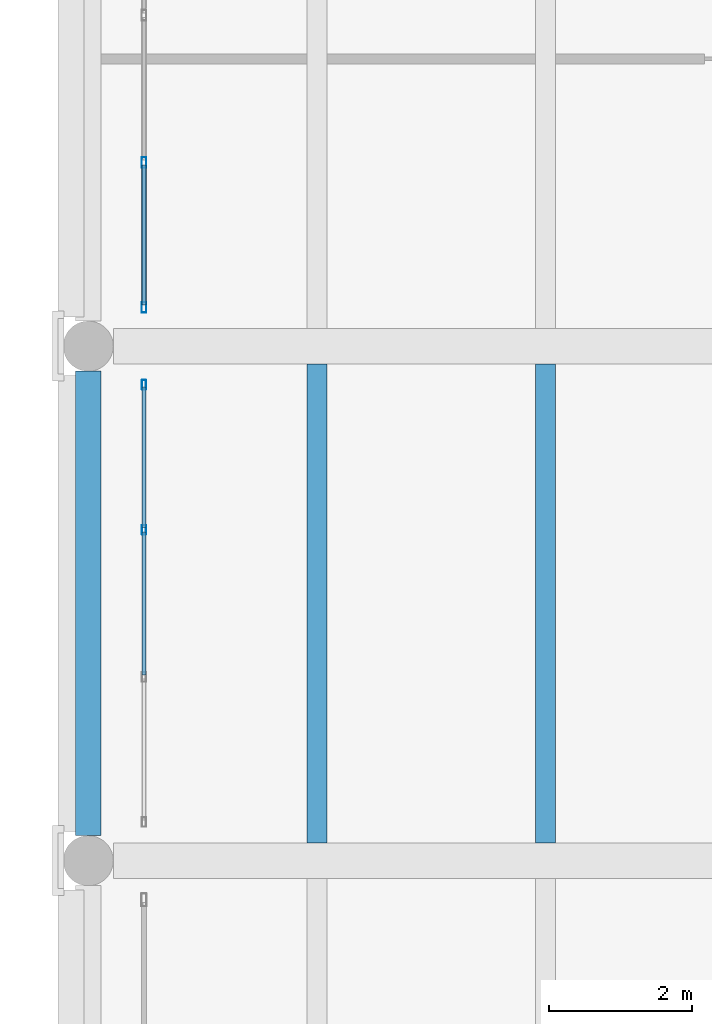
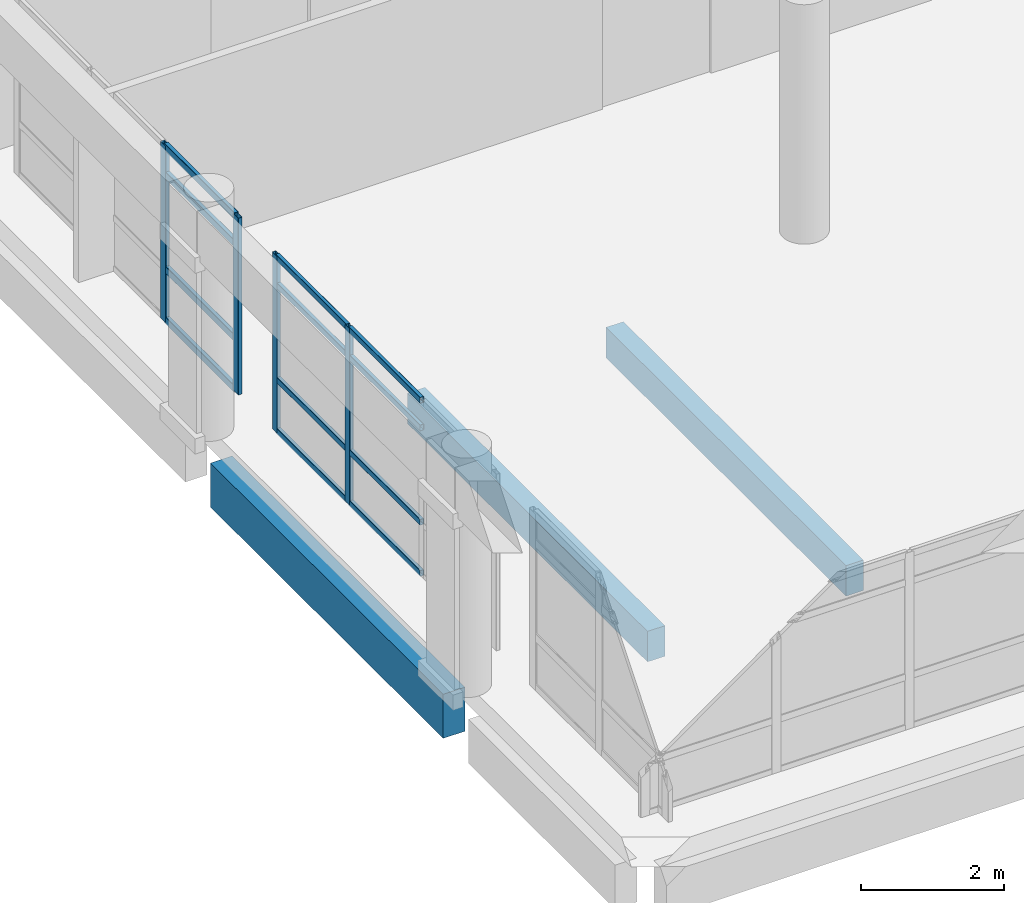
# One storey, part 11 of 180: 16 members, 3 beams, 2 elements without a shape of their own.
"""IFC4 building model written with IfcOpenShell, lengths in metres."""

from ifc_helpers import new_model, si_unit, direction, frame, origin, origin_2d, place, context, subcontext, project, spatial, rectangle, hollow_rectangle, extrude, material, layer, layer_set, material_profile, profile_set, type_object, element, aggregate, save


model = new_model("IFC4")

# Units and contexts
model_context = context("Model", 3, precision=1e-05, world=origin(), true_north=direction((0.0, 1.0)))
body_context = subcontext(model_context, "Body", "Model", "MODEL_VIEW")
ifc_project = project(units=[si_unit("LENGTHUNIT", "METRE"), si_unit("AREAUNIT", "SQUARE_METRE"), si_unit("VOLUMEUNIT", "CUBIC_METRE"), si_unit("PLANEANGLEUNIT", "RADIAN"), si_unit("MASSUNIT", "GRAM", prefix="KILO")], contexts=[model_context])

# Site, building, storey
site_placement = place(None, origin())
site = spatial("IfcSite", under=ifc_project, at=site_placement, CompositionType="ELEMENT")
building_placement = place(site_placement, origin())
building = spatial("IfcBuilding", under=site, at=building_placement, Name="Asteropetra Specialist Clinic", CompositionType="ELEMENT")
storey_placement = place(building_placement, frame((0.0, 0.0, 4.419921875)))
storey = spatial("IfcBuildingStorey", under=building, at=storey_placement, Name="L01", CompositionType="ELEMENT", Elevation=4.419921875)

# Curtain wall, members
ifc_material_1 = material(Name="Aluminium and low-E glass", Category="aluminium")
ifc_layer = layer(ifc_material_1, 0.179931640625)
ifc_layer_set = layer_set([ifc_layer], Name="Aluminium and low-E glass")
curtain_wall_type = type_object("IfcCurtainWallType", Name="CW-SYS-10", PredefinedType="USERDEFINED", material=ifc_layer_set)
curtain_wall_1_placement = place(storey_placement, origin())
curtain_wall_1 = element("IfcCurtainWall", 1, at=curtain_wall_1_placement, inside=storey, type_object=curtain_wall_type, Name="Curtain Wall CW-143", ObjectType="STICK GLAZED COLONNADE", PredefinedType="USERDEFINED")
ifc_material_2 = material(Name="Aluminium 6063-T6", Category="aluminium")
ifc_material_profile_1 = material_profile(ifc_material_2, hollow_rectangle(XDim=0.06005859375, YDim=0.135009765625, WallThickness=0.00341796875, InnerFilletRadius=0.00341796875, OuterFilletRadius=0.007080078125, at=origin_2d()), Name="MUL 135x60x3.5")
ifc_profile_set_1 = profile_set([ifc_material_profile_1], Name="Aluminium 6063-T6")
member_type_1 = type_object("IfcMemberType", Name="CWM-135x60", PredefinedType="MULLION", material=ifc_profile_set_1)
member_1_placement = place(storey_placement, frame((0.780029296875, 11.4599609375, 0.0), z_axis=(0.0, 0.0, 1.0), x_axis=(1.0, 0.0, 0.0)))
member_1 = element("IfcMember", 2, at=member_1_placement, type_object=member_type_1, Name="CW-143 mullion 1", PredefinedType="MULLION", context=body_context, shape_type="SweptSolid", body=[
    extrude(hollow_rectangle(XDim=0.06005859375, YDim=0.135009765625, WallThickness=0.00341796875, InnerFilletRadius=0.00341796875, OuterFilletRadius=0.007080078125, at=origin_2d()), origin(), (0.0, 0.0, 1.0), 3.010009765625),
])
member_2_placement = place(storey_placement, frame((0.780029296875, 9.429931640625, 0.0), z_axis=(0.0, 0.0, 1.0), x_axis=(1.0, 0.0, 0.0)))
member_2 = element("IfcMember", 3, at=member_2_placement, type_object=member_type_1, Name="CW-143 mullion 2", PredefinedType="MULLION", context=body_context, shape_type="SweptSolid", body=[
    extrude(hollow_rectangle(XDim=0.06005859375, YDim=0.135009765625, WallThickness=0.00341796875, InnerFilletRadius=0.00341796875, OuterFilletRadius=0.007080078125, at=origin_2d()), origin(), (0.0, 0.0, 1.0), 3.010009765625),
])

curtain_wall_2_placement = place(storey_placement, origin())
curtain_wall_2 = element("IfcCurtainWall", 4, at=curtain_wall_2_placement, inside=storey, type_object=curtain_wall_type, Name="Curtain Wall CW-145", ObjectType="STICK GLAZED COLONNADE", PredefinedType="USERDEFINED")
ifc_material_3 = material(Name="Aluminium 6063-T6", Category="aluminium")
ifc_material_profile_2 = material_profile(ifc_material_3, hollow_rectangle(XDim=0.06494140625, YDim=0.14990234375, WallThickness=0.00390625, InnerFilletRadius=0.00390625, OuterFilletRadius=0.008056640625, at=origin_2d()), Name="MUL 150x65x4.0")
ifc_profile_set_2 = profile_set([ifc_material_profile_2], Name="Aluminium 6063-T6")
member_type_2 = type_object("IfcMemberType", Name="CWM-150x65", PredefinedType="MULLION", material=ifc_profile_set_2)
member_3_placement = place(storey_placement, frame((0.780029296875, 14.570068359375, 0.0), z_axis=(0.0, 0.0, 1.0), x_axis=(1.0, 0.0, 0.0)))
member_3 = element("IfcMember", 5, at=member_3_placement, type_object=member_type_2, Name="CW-145 mullion 3", PredefinedType="MULLION", context=body_context, shape_type="SweptSolid", body=[
    extrude(hollow_rectangle(XDim=0.06494140625, YDim=0.14990234375, WallThickness=0.00390625, InnerFilletRadius=0.00390625, OuterFilletRadius=0.008056640625, at=origin_2d()), origin(), (0.0, 0.0, 1.0), 3.010009765625),
])
member_4_placement = place(storey_placement, frame((0.780029296875, 12.54248046875, 0.0), z_axis=(0.0, 0.0, 1.0), x_axis=(1.0, 0.0, 0.0)))
member_4 = element("IfcMember", 6, at=member_4_placement, type_object=member_type_2, Name="CW-145 mullion 4", PredefinedType="MULLION", context=body_context, shape_type="SweptSolid", body=[
    extrude(hollow_rectangle(XDim=0.06494140625, YDim=0.14990234375, WallThickness=0.00390625, InnerFilletRadius=0.00390625, OuterFilletRadius=0.008056640625, at=origin_2d()), origin(), (0.0, 0.0, 1.0), 3.010009765625),
])

# Member
ifc_material_4 = material(Name="Aluminium 6063-T6", Category="aluminium")
ifc_material_profile_3 = material_profile(ifc_material_4, hollow_rectangle(XDim=0.06005859375, YDim=0.10009765625, WallThickness=0.00341796875, InnerFilletRadius=0.00341796875, OuterFilletRadius=0.007080078125, at=origin_2d()), Name="TRN 100x60x3.5")
ifc_profile_set_3 = profile_set([ifc_material_profile_3], Name="Aluminium 6063-T6")
member_type_3 = type_object("IfcMemberType", Name="CWT-100x60", PredefinedType="USERDEFINED", material=ifc_profile_set_3)
member_5_placement = place(storey_placement, frame((0.780029296875, 11.429931640625, 0.030029296875), z_axis=(0.0, -1.0, 0.0), x_axis=(1.0, 0.0, 0.0)))
member_5 = element("IfcMember", 7, at=member_5_placement, type_object=member_type_3, Name="CW-143 transom 1.1", ObjectType="TRANSOM", PredefinedType="USERDEFINED", context=body_context, shape_type="SweptSolid", body=[
    extrude(hollow_rectangle(XDim=0.06005859375, YDim=0.10009765625, WallThickness=0.00341796875, InnerFilletRadius=0.00341796875, OuterFilletRadius=0.007080078125, at=origin_2d()), origin(), (0.0, 0.0, 1.0), 1.969970703125),
])

member_6_placement = place(storey_placement, frame((0.780029296875, 11.429931640625, 0.900146484375), z_axis=(0.0, -1.0, 0.0), x_axis=(1.0, 0.0, 0.0)))
member_6 = element("IfcMember", 8, at=member_6_placement, type_object=member_type_3, Name="CW-143 transom 1.2", ObjectType="TRANSOM", PredefinedType="USERDEFINED", context=body_context, shape_type="SweptSolid", body=[
    extrude(hollow_rectangle(XDim=0.06005859375, YDim=0.10009765625, WallThickness=0.00341796875, InnerFilletRadius=0.00341796875, OuterFilletRadius=0.007080078125, at=origin_2d()), origin(), (0.0, 0.0, 1.0), 1.969970703125),
])

member_7_placement = place(storey_placement, frame((0.780029296875, 11.429931640625, 2.510009765625), z_axis=(0.0, -1.0, 0.0), x_axis=(1.0, 0.0, 0.0)))
member_7 = element("IfcMember", 9, at=member_7_placement, type_object=member_type_3, Name="CW-143 transom 1.3", ObjectType="TRANSOM", PredefinedType="USERDEFINED", context=body_context, shape_type="SweptSolid", body=[
    extrude(hollow_rectangle(XDim=0.06005859375, YDim=0.10009765625, WallThickness=0.00341796875, InnerFilletRadius=0.00341796875, OuterFilletRadius=0.007080078125, at=origin_2d()), origin(), (0.0, 0.0, 1.0), 1.969970703125),
])

member_8_placement = place(storey_placement, frame((0.780029296875, 11.429931640625, 2.97998046875), z_axis=(0.0, -1.0, 0.0), x_axis=(1.0, 0.0, 0.0)))
member_8 = element("IfcMember", 10, at=member_8_placement, type_object=member_type_3, Name="CW-143 transom 1.4", ObjectType="TRANSOM", PredefinedType="USERDEFINED", context=body_context, shape_type="SweptSolid", body=[
    extrude(hollow_rectangle(XDim=0.06005859375, YDim=0.10009765625, WallThickness=0.00341796875, InnerFilletRadius=0.00341796875, OuterFilletRadius=0.007080078125, at=origin_2d()), origin(), (0.0, 0.0, 1.0), 1.969970703125),
])

member_9_placement = place(storey_placement, frame((0.780029296875, 9.39990234375, 0.030029296875), z_axis=(0.0, -1.0, 0.0), x_axis=(1.0, 0.0, 0.0)))
member_9 = element("IfcMember", 11, at=member_9_placement, type_object=member_type_3, Name="CW-143 transom 2.1", ObjectType="TRANSOM", PredefinedType="USERDEFINED", context=body_context, shape_type="SweptSolid", body=[
    extrude(hollow_rectangle(XDim=0.06005859375, YDim=0.10009765625, WallThickness=0.00341796875, InnerFilletRadius=0.00341796875, OuterFilletRadius=0.007080078125, at=origin_2d()), origin(), (0.0, 0.0, 1.0), 2.0),
])

member_10_placement = place(storey_placement, frame((0.780029296875, 9.39990234375, 0.900146484375), z_axis=(0.0, -1.0, 0.0), x_axis=(1.0, 0.0, 0.0)))
member_10 = element("IfcMember", 12, at=member_10_placement, type_object=member_type_3, Name="CW-143 transom 2.2", ObjectType="TRANSOM", PredefinedType="USERDEFINED", context=body_context, shape_type="SweptSolid", body=[
    extrude(hollow_rectangle(XDim=0.06005859375, YDim=0.10009765625, WallThickness=0.00341796875, InnerFilletRadius=0.00341796875, OuterFilletRadius=0.007080078125, at=origin_2d()), origin(), (0.0, 0.0, 1.0), 2.0),
])

member_11_placement = place(storey_placement, frame((0.780029296875, 9.39990234375, 2.510009765625), z_axis=(0.0, -1.0, 0.0), x_axis=(1.0, 0.0, 0.0)))
member_11 = element("IfcMember", 13, at=member_11_placement, type_object=member_type_3, Name="CW-143 transom 2.3", ObjectType="TRANSOM", PredefinedType="USERDEFINED", context=body_context, shape_type="SweptSolid", body=[
    extrude(hollow_rectangle(XDim=0.06005859375, YDim=0.10009765625, WallThickness=0.00341796875, InnerFilletRadius=0.00341796875, OuterFilletRadius=0.007080078125, at=origin_2d()), origin(), (0.0, 0.0, 1.0), 2.0),
])

member_12_placement = place(storey_placement, frame((0.780029296875, 9.39990234375, 2.97998046875), z_axis=(0.0, -1.0, 0.0), x_axis=(1.0, 0.0, 0.0)))
member_12 = element("IfcMember", 14, at=member_12_placement, type_object=member_type_3, Name="CW-143 transom 2.4", ObjectType="TRANSOM", PredefinedType="USERDEFINED", context=body_context, shape_type="SweptSolid", body=[
    extrude(hollow_rectangle(XDim=0.06005859375, YDim=0.10009765625, WallThickness=0.00341796875, InnerFilletRadius=0.00341796875, OuterFilletRadius=0.007080078125, at=origin_2d()), origin(), (0.0, 0.0, 1.0), 2.0),
])

aggregate(curtain_wall_1, [member_1, member_2, member_5, member_6, member_7, member_8, member_9, member_10, member_11, member_12])

ifc_material_5 = material(Name="Aluminium 6063-T6", Category="aluminium")
ifc_material_profile_4 = material_profile(ifc_material_5, hollow_rectangle(XDim=0.06494140625, YDim=0.1201171875, WallThickness=0.00390625, InnerFilletRadius=0.00390625, OuterFilletRadius=0.008056640625, at=origin_2d()), Name="TRN 120x65x4.0")
ifc_profile_set_4 = profile_set([ifc_material_profile_4], Name="Aluminium 6063-T6")
member_type_4 = type_object("IfcMemberType", Name="CWT-120x65", PredefinedType="USERDEFINED", material=ifc_profile_set_4)
member_13_placement = place(storey_placement, frame((0.780029296875, 14.53759765625, 0.032470703125), z_axis=(0.0, -1.0, 0.0), x_axis=(1.0, 0.0, 0.0)))
member_13 = element("IfcMember", 15, at=member_13_placement, type_object=member_type_4, Name="CW-145 transom 3.1", ObjectType="TRANSOM", PredefinedType="USERDEFINED", context=body_context, shape_type="SweptSolid", body=[
    extrude(hollow_rectangle(XDim=0.06494140625, YDim=0.1201171875, WallThickness=0.00390625, InnerFilletRadius=0.00390625, OuterFilletRadius=0.008056640625, at=origin_2d()), origin(), (0.0, 0.0, 1.0), 1.962646484375),
])

member_14_placement = place(storey_placement, frame((0.780029296875, 14.53759765625, 0.900146484375), z_axis=(0.0, -1.0, 0.0), x_axis=(1.0, 0.0, 0.0)))
member_14 = element("IfcMember", 16, at=member_14_placement, type_object=member_type_4, Name="CW-145 transom 3.2", ObjectType="TRANSOM", PredefinedType="USERDEFINED", context=body_context, shape_type="SweptSolid", body=[
    extrude(hollow_rectangle(XDim=0.06494140625, YDim=0.1201171875, WallThickness=0.00390625, InnerFilletRadius=0.00390625, OuterFilletRadius=0.008056640625, at=origin_2d()), origin(), (0.0, 0.0, 1.0), 1.962646484375),
])

member_15_placement = place(storey_placement, frame((0.780029296875, 14.53759765625, 2.510009765625), z_axis=(0.0, -1.0, 0.0), x_axis=(1.0, 0.0, 0.0)))
member_15 = element("IfcMember", 17, at=member_15_placement, type_object=member_type_4, Name="CW-145 transom 3.3", ObjectType="TRANSOM", PredefinedType="USERDEFINED", context=body_context, shape_type="SweptSolid", body=[
    extrude(hollow_rectangle(XDim=0.06494140625, YDim=0.1201171875, WallThickness=0.00390625, InnerFilletRadius=0.00390625, OuterFilletRadius=0.008056640625, at=origin_2d()), origin(), (0.0, 0.0, 1.0), 1.962646484375),
])

member_16_placement = place(storey_placement, frame((0.780029296875, 14.53759765625, 2.9775390625), z_axis=(0.0, -1.0, 0.0), x_axis=(1.0, 0.0, 0.0)))
member_16 = element("IfcMember", 18, at=member_16_placement, type_object=member_type_4, Name="CW-145 transom 3.4", ObjectType="TRANSOM", PredefinedType="USERDEFINED", context=body_context, shape_type="SweptSolid", body=[
    extrude(hollow_rectangle(XDim=0.06494140625, YDim=0.1201171875, WallThickness=0.00390625, InnerFilletRadius=0.00390625, OuterFilletRadius=0.008056640625, at=origin_2d()), origin(), (0.0, 0.0, 1.0), 1.962646484375),
])

aggregate(curtain_wall_2, [member_3, member_4, member_13, member_14, member_15, member_16])

# Beams
ifc_material_6 = material(Name="Concrete C35/45", Category="concrete")
ifc_material_profile_5 = material_profile(ifc_material_6, rectangle(XDim=0.280029296875, YDim=0.52001953125, at=origin_2d()), Name="RCJ 280x520")
ifc_profile_set_5 = profile_set([ifc_material_profile_5], Name="Concrete C35/45")
beam_type_1 = type_object("IfcBeamType", Name="JST-RC280x520", PredefinedType="JOIST", material=ifc_profile_set_5)
for number, where, z_axis, x_axis, name in (
    (19, (3.199951171875, 5.050048828125, -0.599853515625), (0.0, 1.0, 0.0), (-1.0, 0.0, 0.0), "Joist JJST01-0278"),
    (20, (6.39990234375, 5.050048828125, -0.599853515625), (0.0, 1.0, 0.0), (-1.0, 0.0, 0.0), "Joist JJST01-0279"),
):
    element("IfcBeam", number, at=place(storey_placement, frame(where, z_axis=z_axis, x_axis=x_axis)), inside=storey, type_object=beam_type_1, Name=name, PredefinedType="JOIST", context=body_context, shape_type="SweptSolid", body=[
        extrude(rectangle(XDim=0.280029296875, YDim=0.52001953125, at=origin_2d()), origin(), (0.0, 0.0, 1.0), 6.699951171875),
    ])
ifc_material_7 = material(Name="Concrete C35/45", Category="concrete")
ifc_material_profile_6 = material_profile(ifc_material_7, rectangle(XDim=0.35009765625, YDim=0.75, at=origin_2d()), Name="RCS 350x750")
ifc_profile_set_6 = profile_set([ifc_material_profile_6], Name="Concrete C35/45")
beam_type_2 = type_object("IfcBeamType", Name="SPN-RC350x750", PredefinedType="SPANDREL", material=ifc_profile_set_6)
beam_placement = place(storey_placement, frame((0.0, 5.14990234375, -0.71484375), z_axis=(0.0, 1.0, 0.0), x_axis=(-1.0, 0.0, 0.0)))
element("IfcBeam", 21, at=beam_placement, inside=storey, type_object=beam_type_2, Name="Beam BSPN01-0271", PredefinedType="SPANDREL", context=body_context, shape_type="SweptSolid", body=[
    extrude(rectangle(XDim=0.35009765625, YDim=0.75, at=origin_2d()), origin(), (0.0, 0.0, 1.0), 6.5),
])

save(model, "model.ifc")
